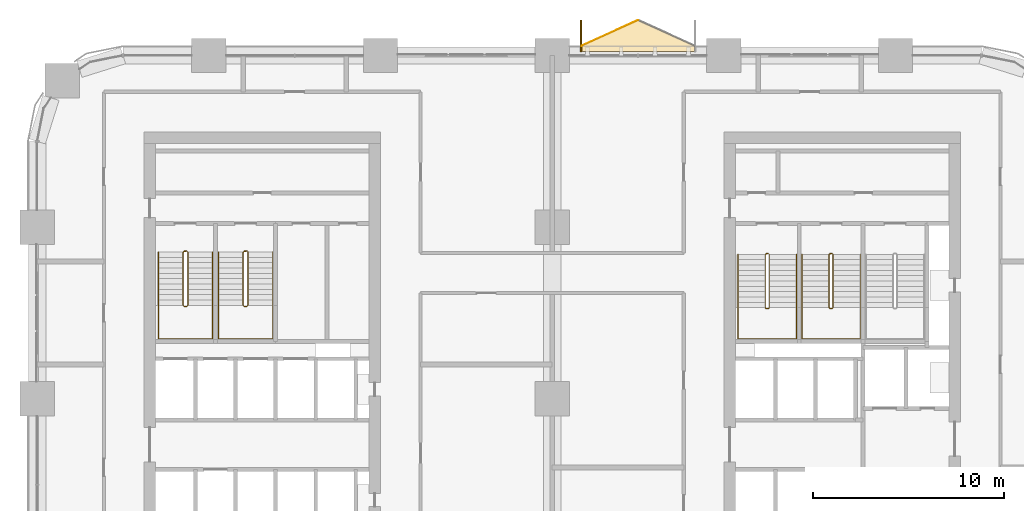
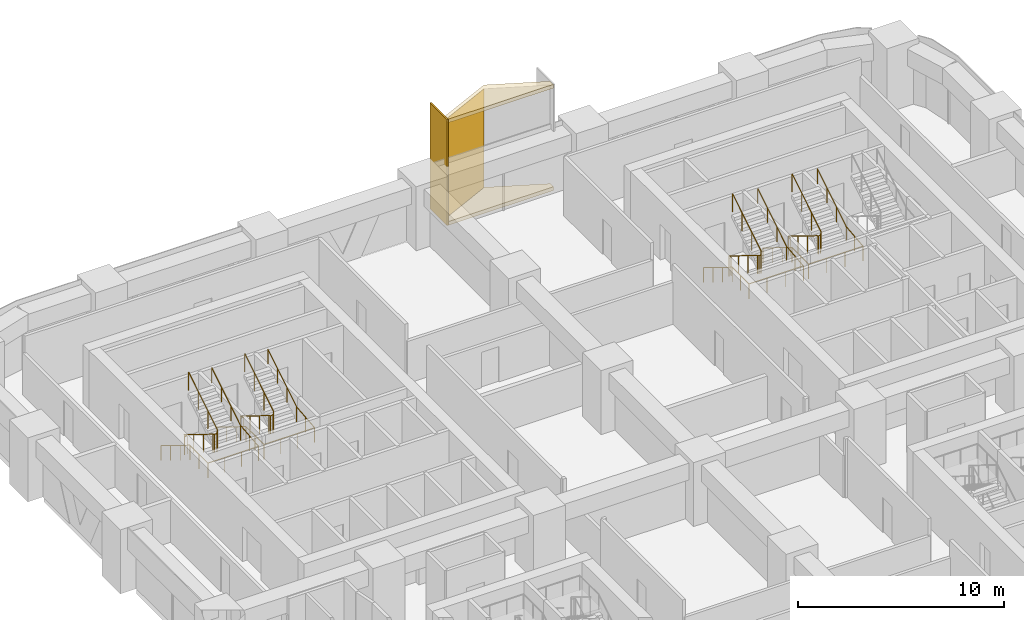
# One storey, part 21 of 22: 8 railings, 4 coverings.
"""IFC4 building model written with IfcOpenShell, lengths in metres."""

from ifc_helpers import new_model, si_unit, direction, frame, origin, origin_2d, place, context, subcontext, project, spatial, polyline, rectangle, circle, outline, extrude, material, layer, layer_set, type_object, element, save


model = new_model("IFC4")

# Units and contexts
model_context = context("Model", 3, precision=1e-05, world=origin(), true_north=direction((0.0, 1.0)))
body_context = subcontext(model_context, "Body", "Model", "MODEL_VIEW")
ifc_project = project(units=[si_unit("LENGTHUNIT", "METRE"), si_unit("AREAUNIT", "SQUARE_METRE"), si_unit("VOLUMEUNIT", "CUBIC_METRE"), si_unit("PLANEANGLEUNIT", "RADIAN"), si_unit("MASSUNIT", "GRAM", prefix="KILO")], contexts=[model_context])

# Site, building, storey
site_placement = place(None, origin())
site = spatial("IfcSite", under=ifc_project, at=site_placement, CompositionType="ELEMENT")
building_placement = place(site_placement, origin())
building = spatial("IfcBuilding", under=site, at=building_placement, Name="Tessera Arch", CompositionType="ELEMENT")
storey_placement = place(building_placement, frame((0.0, 0.0, 53.800048828125)))
storey = spatial("IfcBuildingStorey", under=building, at=storey_placement, Name="L11", CompositionType="ELEMENT", Elevation=53.800048828125)

# Railings
ifc_material_1 = material(Name="Painted steel balustrade", Category="steel")
railing_type_1 = type_object("IfcRailingType", Name="Stair guard 1100", PredefinedType="GUARDRAIL", material=ifc_material_1)
railing_1_placement = place(storey_placement, frame((38.219970703125, 43.6298828125, 0.0)))
element("IfcRailing", 1, at=railing_1_placement, inside=storey, type_object=railing_type_1, Name="L11 S1a stair guard 1", PredefinedType="GUARDRAIL", context=body_context, shape_type="SweptSolid", body=[
    extrude(circle(Radius=0.02392578125, at=origin_2d()), frame((-0.00390625, 0.0, 1.076171875), z_axis=(1.0, 0.0, 0.0), x_axis=(0.0, 1.0, 0.0)), (0.0, 0.0, 1.0), 0.1181640625),
    extrude(circle(Radius=0.02392578125, at=origin_2d()), frame((0.11279296875, 0.000732421875, 1.0732421875), z_axis=(-0.665449600336, -0.206938595226, 0.717184249143), x_axis=(0.296948579431, -0.954893471113, 0.0)), (0.0, 0.0, 1.0), 0.248779296875),
    extrude(circle(Radius=0.02392578125, at=origin_2d()), frame((-0.050048828125, -0.04638671875, 1.24658203125), z_axis=(0.0, -0.851089632645, 0.525020415988), x_axis=(1.0, 0.0, 0.0)), (0.0, 0.0, 1.0), 3.2978515625),
    extrude(circle(Radius=0.02392578125, at=origin_2d()), frame((-0.052978515625, -2.846923828125, 2.97607421875), z_axis=(0.707106781187, -0.707106781187, 0.0), x_axis=(0.707106781187, 0.707106781187, 0.0)), (0.0, 0.0, 1.0), 0.078857421875),
    extrude(circle(Radius=0.02392578125, at=origin_2d()), frame((-0.00390625, -2.89990234375, 2.97607421875), z_axis=(1.0, 0.0, 0.0), x_axis=(0.0, 1.0, 0.0)), (0.0, 0.0, 1.0), 0.1181640625),
    extrude(circle(Radius=0.02392578125, at=origin_2d()), frame((0.109130859375, -2.90087890625, 2.97216796875), z_axis=(0.266739603011, 0.268047150085, 0.925743328097), x_axis=(-0.708833529934, 0.705375805398, 0.0)), (0.0, 0.0, 1.0), 0.19482421875),
    extrude(circle(Radius=0.02392578125, at=origin_2d()), frame((0.159912109375, -2.853271484375, 3.146728515625), z_axis=(0.0, 0.851089632645, 0.525020415988), x_axis=(-1.0, 0.0, 0.0)), (0.0, 0.0, 1.0), 3.2978515625),
    extrude(circle(Radius=0.02099609375, at=origin_2d()), origin(), (0.0, 0.0, 1.0), 1.06396484375),
    extrude(circle(Radius=0.02099609375, at=origin_2d()), frame((0.110107421875, 0.0, 0.0)), (0.0, 0.0, 1.0), 1.06396484375),
    extrude(circle(Radius=0.02099609375, at=origin_2d()), frame((-0.050048828125, -0.0498046875, 0.172607421875)), (0.0, 0.0, 1.0), 1.06396484375),
    extrude(circle(Radius=0.02099609375, at=origin_2d()), frame((-0.050048828125, -0.983154296875, 0.748291015625)), (0.0, 0.0, 1.0), 1.06396484375),
    extrude(circle(Radius=0.02099609375, at=origin_2d()), frame((-0.050048828125, -1.91650390625, 1.32421875)), (0.0, 0.0, 1.0), 1.06396484375),
    extrude(circle(Radius=0.02099609375, at=origin_2d()), frame((-0.050048828125, -2.849853515625, 1.89990234375)), (0.0, 0.0, 1.0), 1.06396484375),
    extrude(circle(Radius=0.02099609375, at=origin_2d()), frame((0.0, -2.89990234375, 1.89990234375)), (0.0, 0.0, 1.0), 1.06396484375),
    extrude(circle(Radius=0.02099609375, at=origin_2d()), frame((0.110107421875, -2.89990234375, 1.89990234375)), (0.0, 0.0, 1.0), 1.06396484375),
    extrude(circle(Radius=0.02099609375, at=origin_2d()), frame((0.159912109375, -2.849853515625, 2.07275390625)), (0.0, 0.0, 1.0), 1.06396484375),
    extrude(circle(Radius=0.02099609375, at=origin_2d()), frame((0.159912109375, -1.91650390625, 2.6484375)), (0.0, 0.0, 1.0), 1.06396484375),
    extrude(circle(Radius=0.02099609375, at=origin_2d()), frame((0.159912109375, -0.983154296875, 3.224365234375)), (0.0, 0.0, 1.0), 1.06396484375),
    extrude(circle(Radius=0.02099609375, at=origin_2d()), frame((0.159912109375, -0.0498046875, 3.800048828125)), (0.0, 0.0, 1.0), 1.06396484375),
])
railing_2_placement = place(storey_placement, frame((41.570068359375, 43.6298828125, 0.0)))
element("IfcRailing", 2, at=railing_2_placement, inside=storey, type_object=railing_type_1, Name="L11 S1b stair guard 1", PredefinedType="GUARDRAIL", context=body_context, shape_type="SweptSolid", body=[
    extrude(circle(Radius=0.02392578125, at=origin_2d()), frame((-0.00390625, 0.0, 1.076171875), z_axis=(1.0, 0.0, 0.0), x_axis=(0.0, 1.0, 0.0)), (0.0, 0.0, 1.0), 0.117919921875),
    extrude(circle(Radius=0.02392578125, at=origin_2d()), frame((0.112548828125, 0.000732421875, 1.0732421875), z_axis=(-0.664883824791, -0.207078321004, 0.717668494851), x_axis=(0.297361876254, -0.954764847777, 0.0)), (0.0, 0.0, 1.0), 0.24853515625),
    extrude(circle(Radius=0.02392578125, at=origin_2d()), frame((-0.050048828125, -0.04638671875, 1.24658203125), z_axis=(0.0, -0.851089632645, 0.525020415988), x_axis=(1.0, 0.0, 0.0)), (0.0, 0.0, 1.0), 3.2978515625),
    extrude(circle(Radius=0.02392578125, at=origin_2d()), frame((-0.052978515625, -2.846923828125, 2.97607421875), z_axis=(0.707106781187, -0.707106781187, 0.0), x_axis=(0.707106781187, 0.707106781187, 0.0)), (0.0, 0.0, 1.0), 0.078857421875),
    extrude(circle(Radius=0.02392578125, at=origin_2d()), frame((-0.00390625, -2.89990234375, 2.97607421875), z_axis=(1.0, 0.0, 0.0), x_axis=(0.0, 1.0, 0.0)), (0.0, 0.0, 1.0), 0.117919921875),
    extrude(circle(Radius=0.02392578125, at=origin_2d()), frame((0.10888671875, -2.90087890625, 2.97216796875), z_axis=(0.267953482034, 0.267953482034, 0.925419830635), x_axis=(-0.707106781187, 0.707106781187, 0.0)), (0.0, 0.0, 1.0), 0.19482421875),
    extrude(circle(Radius=0.02392578125, at=origin_2d()), frame((0.159912109375, -2.853271484375, 3.146728515625), z_axis=(0.0, 0.851089632645, 0.525020415988), x_axis=(-1.0, 0.0, 0.0)), (0.0, 0.0, 1.0), 3.2978515625),
    extrude(circle(Radius=0.02099609375, at=origin_2d()), origin(), (0.0, 0.0, 1.0), 1.06396484375),
    extrude(circle(Radius=0.02099609375, at=origin_2d()), frame((0.10986328125, 0.0, 0.0)), (0.0, 0.0, 1.0), 1.06396484375),
    extrude(circle(Radius=0.02099609375, at=origin_2d()), frame((-0.050048828125, -0.0498046875, 0.172607421875)), (0.0, 0.0, 1.0), 1.06396484375),
    extrude(circle(Radius=0.02099609375, at=origin_2d()), frame((-0.050048828125, -0.983154296875, 0.748291015625)), (0.0, 0.0, 1.0), 1.06396484375),
    extrude(circle(Radius=0.02099609375, at=origin_2d()), frame((-0.050048828125, -1.91650390625, 1.32421875)), (0.0, 0.0, 1.0), 1.06396484375),
    extrude(circle(Radius=0.02099609375, at=origin_2d()), frame((-0.050048828125, -2.849853515625, 1.89990234375)), (0.0, 0.0, 1.0), 1.06396484375),
    extrude(circle(Radius=0.02099609375, at=origin_2d()), frame((0.0, -2.89990234375, 1.89990234375)), (0.0, 0.0, 1.0), 1.06396484375),
    extrude(circle(Radius=0.02099609375, at=origin_2d()), frame((0.10986328125, -2.89990234375, 1.89990234375)), (0.0, 0.0, 1.0), 1.06396484375),
    extrude(circle(Radius=0.02099609375, at=origin_2d()), frame((0.159912109375, -2.849853515625, 2.07275390625)), (0.0, 0.0, 1.0), 1.06396484375),
    extrude(circle(Radius=0.02099609375, at=origin_2d()), frame((0.159912109375, -1.91650390625, 2.6484375)), (0.0, 0.0, 1.0), 1.06396484375),
    extrude(circle(Radius=0.02099609375, at=origin_2d()), frame((0.159912109375, -0.983154296875, 3.224365234375)), (0.0, 0.0, 1.0), 1.06396484375),
    extrude(circle(Radius=0.02099609375, at=origin_2d()), frame((0.159912109375, -0.0498046875, 3.800048828125)), (0.0, 0.0, 1.0), 1.06396484375),
])
railing_3_placement = place(storey_placement, frame((7.699951171875, 43.75, 0.0)))
element("IfcRailing", 3, at=railing_3_placement, inside=storey, type_object=railing_type_1, Name="L11 S2a stair guard 1", PredefinedType="GUARDRAIL", context=body_context, shape_type="SweptSolid", body=[
    extrude(circle(Radius=0.02392578125, at=origin_2d()), frame((-0.00390625, 0.0, 1.076171875), z_axis=(1.0, 0.0, 0.0), x_axis=(0.0, 1.0, 0.0)), (0.0, 0.0, 1.0), 0.158203125),
    extrude(circle(Radius=0.02392578125, at=origin_2d()), frame((0.153076171875, 0.000732421875, 1.073486328125), z_axis=(-0.744141464035, -0.186035366009, 0.641595140332), x_axis=(0.242535625036, -0.970142500145, 0.0)), (0.0, 0.0, 1.0), 0.277099609375),
    extrude(circle(Radius=0.02392578125, at=origin_2d()), frame((-0.050048828125, -0.046630859375, 1.24658203125), z_axis=(0.0, -0.851089632645, 0.525020415988), x_axis=(1.0, 0.0, 0.0)), (0.0, 0.0, 1.0), 3.2978515625),
    extrude(circle(Radius=0.02392578125, at=origin_2d()), frame((-0.052978515625, -2.84716796875, 2.97607421875), z_axis=(0.708833529934, -0.705375805398, 0.0), x_axis=(0.705375805398, 0.708833529934, 0.0)), (0.0, 0.0, 1.0), 0.07861328125),
    extrude(circle(Radius=0.02392578125, at=origin_2d()), frame((-0.00390625, -2.89990234375, 2.97607421875), z_axis=(1.0, 0.0, 0.0), x_axis=(0.0, 1.0, 0.0)), (0.0, 0.0, 1.0), 0.158203125),
    extrude(circle(Radius=0.02392578125, at=origin_2d()), frame((0.149169921875, -2.90087890625, 2.97216796875), z_axis=(0.266832911964, 0.266832911964, 0.926067165051), x_axis=(-0.707106781187, 0.707106781187, 0.0)), (0.0, 0.0, 1.0), 0.194580078125),
    extrude(circle(Radius=0.02392578125, at=origin_2d()), frame((0.199951171875, -2.853515625, 3.146728515625), z_axis=(0.0, 0.851089632645, 0.525020415988), x_axis=(-1.0, 0.0, 0.0)), (0.0, 0.0, 1.0), 3.2978515625),
    extrude(circle(Radius=0.02099609375, at=origin_2d()), origin(), (0.0, 0.0, 1.0), 1.06396484375),
    extrude(circle(Radius=0.02099609375, at=origin_2d()), frame((0.150146484375, 0.0, 0.0)), (0.0, 0.0, 1.0), 1.06396484375),
    extrude(circle(Radius=0.02099609375, at=origin_2d()), frame((-0.050048828125, -0.050048828125, 0.172607421875)), (0.0, 0.0, 1.0), 1.06396484375),
    extrude(circle(Radius=0.02099609375, at=origin_2d()), frame((-0.050048828125, -0.9833984375, 0.748291015625)), (0.0, 0.0, 1.0), 1.06396484375),
    extrude(circle(Radius=0.02099609375, at=origin_2d()), frame((-0.050048828125, -1.916748046875, 1.32421875)), (0.0, 0.0, 1.0), 1.06396484375),
    extrude(circle(Radius=0.02099609375, at=origin_2d()), frame((-0.050048828125, -2.85009765625, 1.89990234375)), (0.0, 0.0, 1.0), 1.06396484375),
    extrude(circle(Radius=0.02099609375, at=origin_2d()), frame((0.0, -2.89990234375, 1.89990234375)), (0.0, 0.0, 1.0), 1.06396484375),
    extrude(circle(Radius=0.02099609375, at=origin_2d()), frame((0.150146484375, -2.89990234375, 1.89990234375)), (0.0, 0.0, 1.0), 1.06396484375),
    extrude(circle(Radius=0.02099609375, at=origin_2d()), frame((0.199951171875, -2.85009765625, 2.07275390625)), (0.0, 0.0, 1.0), 1.06396484375),
    extrude(circle(Radius=0.02099609375, at=origin_2d()), frame((0.199951171875, -1.916748046875, 2.6484375)), (0.0, 0.0, 1.0), 1.06396484375),
    extrude(circle(Radius=0.02099609375, at=origin_2d()), frame((0.199951171875, -0.9833984375, 3.224365234375)), (0.0, 0.0, 1.0), 1.06396484375),
    extrude(circle(Radius=0.02099609375, at=origin_2d()), frame((0.199951171875, -0.050048828125, 3.800048828125)), (0.0, 0.0, 1.0), 1.06396484375),
])
railing_4_placement = place(storey_placement, frame((10.85009765625, 43.75, 0.0)))
element("IfcRailing", 4, at=railing_4_placement, inside=storey, type_object=railing_type_1, Name="L11 S2b stair guard 1", PredefinedType="GUARDRAIL", context=body_context, shape_type="SweptSolid", body=[
    extrude(circle(Radius=0.02392578125, at=origin_2d()), frame((-0.00390625, 0.0, 1.076171875), z_axis=(1.0, 0.0, 0.0), x_axis=(0.0, 1.0, 0.0)), (0.0, 0.0, 1.0), 0.157958984375),
    extrude(circle(Radius=0.02392578125, at=origin_2d()), frame((0.15283203125, 0.000732421875, 1.073486328125), z_axis=(-0.743736083135, -0.18616104645, 0.642028584587), x_axis=(0.242814311512, -0.970072785993, 0.0)), (0.0, 0.0, 1.0), 0.27685546875),
    extrude(circle(Radius=0.02392578125, at=origin_2d()), frame((-0.050048828125, -0.046630859375, 1.24658203125), z_axis=(0.0, -0.851089632645, 0.525020415988), x_axis=(1.0, 0.0, 0.0)), (0.0, 0.0, 1.0), 3.2978515625),
    extrude(circle(Radius=0.02392578125, at=origin_2d()), frame((-0.052978515625, -2.84716796875, 2.97607421875), z_axis=(0.708833529934, -0.705375805398, 0.0), x_axis=(0.705375805398, 0.708833529934, 0.0)), (0.0, 0.0, 1.0), 0.07861328125),
    extrude(circle(Radius=0.02392578125, at=origin_2d()), frame((-0.00390625, -2.89990234375, 2.97607421875), z_axis=(1.0, 0.0, 0.0), x_axis=(0.0, 1.0, 0.0)), (0.0, 0.0, 1.0), 0.157958984375),
    extrude(circle(Radius=0.02392578125, at=origin_2d()), frame((0.14892578125, -2.90087890625, 2.97216796875), z_axis=(0.268047150085, 0.266739603011, 0.925743328097), x_axis=(-0.705375805398, 0.708833529934, 0.0)), (0.0, 0.0, 1.0), 0.19482421875),
    extrude(circle(Radius=0.02392578125, at=origin_2d()), frame((0.199951171875, -2.853515625, 3.146728515625), z_axis=(0.0, 0.851089632645, 0.525020415988), x_axis=(-1.0, 0.0, 0.0)), (0.0, 0.0, 1.0), 3.2978515625),
    extrude(circle(Radius=0.02099609375, at=origin_2d()), origin(), (0.0, 0.0, 1.0), 1.06396484375),
    extrude(circle(Radius=0.02099609375, at=origin_2d()), frame((0.14990234375, 0.0, 0.0)), (0.0, 0.0, 1.0), 1.06396484375),
    extrude(circle(Radius=0.02099609375, at=origin_2d()), frame((-0.050048828125, -0.050048828125, 0.172607421875)), (0.0, 0.0, 1.0), 1.06396484375),
    extrude(circle(Radius=0.02099609375, at=origin_2d()), frame((-0.050048828125, -0.9833984375, 0.748291015625)), (0.0, 0.0, 1.0), 1.06396484375),
    extrude(circle(Radius=0.02099609375, at=origin_2d()), frame((-0.050048828125, -1.916748046875, 1.32421875)), (0.0, 0.0, 1.0), 1.06396484375),
    extrude(circle(Radius=0.02099609375, at=origin_2d()), frame((-0.050048828125, -2.85009765625, 1.89990234375)), (0.0, 0.0, 1.0), 1.06396484375),
    extrude(circle(Radius=0.02099609375, at=origin_2d()), frame((0.0, -2.89990234375, 1.89990234375)), (0.0, 0.0, 1.0), 1.06396484375),
    extrude(circle(Radius=0.02099609375, at=origin_2d()), frame((0.14990234375, -2.89990234375, 1.89990234375)), (0.0, 0.0, 1.0), 1.06396484375),
    extrude(circle(Radius=0.02099609375, at=origin_2d()), frame((0.199951171875, -2.85009765625, 2.07275390625)), (0.0, 0.0, 1.0), 1.06396484375),
    extrude(circle(Radius=0.02099609375, at=origin_2d()), frame((0.199951171875, -1.916748046875, 2.6484375)), (0.0, 0.0, 1.0), 1.06396484375),
    extrude(circle(Radius=0.02099609375, at=origin_2d()), frame((0.199951171875, -0.9833984375, 3.224365234375)), (0.0, 0.0, 1.0), 1.06396484375),
    extrude(circle(Radius=0.02099609375, at=origin_2d()), frame((0.199951171875, -0.050048828125, 3.800048828125)), (0.0, 0.0, 1.0), 1.06396484375),
])
ifc_material_2 = material(Name="Painted steel handrail", Category="steel")
railing_type_2 = type_object("IfcRailingType", Name="Stair handrail 900", PredefinedType="HANDRAIL", material=ifc_material_2)
railing_5_placement = place(storey_placement, frame((36.75, 43.580078125, 0.172607421875)))
element("IfcRailing", 5, at=railing_5_placement, inside=storey, type_object=railing_type_2, Name="L11 S1a stair handrail", PredefinedType="HANDRAIL", context=body_context, shape_type="SweptSolid", body=[
    extrude(circle(Radius=0.02392578125, at=origin_2d()), frame((0.0, 0.00341796875, 0.873779296875), z_axis=(0.0, -0.851089632645, 0.525020415988), x_axis=(1.0, 0.0, 0.0)), (0.0, 0.0, 1.0), 3.2978515625),
    extrude(circle(Radius=0.02392578125, at=origin_2d()), frame((0.0, -2.796142578125, 2.60302734375), z_axis=(0.0, -1.0, 0.0), x_axis=(1.0, 0.0, 0.0)), (0.0, 0.0, 1.0), 1.63818359375),
    extrude(circle(Radius=0.02392578125, at=origin_2d()), frame((-0.00390625, -4.43017578125, 2.60302734375), z_axis=(1.0, 0.0, 0.0), x_axis=(0.0, 1.0, 0.0)), (0.0, 0.0, 1.0), 3.05810546875),
    extrude(circle(Radius=0.02392578125, at=origin_2d()), frame((3.050048828125, -4.43408203125, 2.602783203125), z_axis=(0.0, 0.994425187763, 0.105444515941), x_axis=(-1.0, 0.0, 0.0)), (0.0, 0.0, 1.0), 1.647216796875),
    extrude(circle(Radius=0.02392578125, at=origin_2d()), frame((3.050048828125, -2.803466796875, 2.77392578125), z_axis=(0.0, 0.851089632645, 0.525020415988), x_axis=(-1.0, 0.0, 0.0)), (0.0, 0.0, 1.0), 3.2978515625),
    extrude(circle(Radius=0.02099609375, at=origin_2d()), origin(), (0.0, 0.0, 1.0), 0.86376953125),
    extrude(circle(Radius=0.02099609375, at=origin_2d()), frame((0.0, -0.933349609375, 0.57568359375)), (0.0, 0.0, 1.0), 0.86376953125),
    extrude(circle(Radius=0.02099609375, at=origin_2d()), frame((0.0, -1.86669921875, 1.151611328125)), (0.0, 0.0, 1.0), 0.86376953125),
    extrude(circle(Radius=0.02099609375, at=origin_2d()), frame((0.0, -2.800048828125, 1.727294921875)), (0.0, 0.0, 1.0), 0.86376953125),
    extrude(circle(Radius=0.02099609375, at=origin_2d()), frame((0.0, -3.615234375, 1.727294921875)), (0.0, 0.0, 1.0), 0.86376953125),
    extrude(circle(Radius=0.02099609375, at=origin_2d()), frame((0.0, -4.43017578125, 1.727294921875)), (0.0, 0.0, 1.0), 0.86376953125),
    extrude(circle(Radius=0.02099609375, at=origin_2d()), frame((1.0166015625, -4.43017578125, 1.727294921875)), (0.0, 0.0, 1.0), 0.86376953125),
    extrude(circle(Radius=0.02099609375, at=origin_2d()), frame((2.033447265625, -4.43017578125, 1.727294921875)), (0.0, 0.0, 1.0), 0.86376953125),
    extrude(circle(Radius=0.02099609375, at=origin_2d()), frame((3.050048828125, -4.43017578125, 1.727294921875)), (0.0, 0.0, 1.0), 0.86376953125),
    extrude(circle(Radius=0.02099609375, at=origin_2d()), frame((3.050048828125, -3.615234375, 1.813720703125)), (0.0, 0.0, 1.0), 0.86376953125),
    extrude(circle(Radius=0.02099609375, at=origin_2d()), frame((3.050048828125, -2.800048828125, 1.900146484375)), (0.0, 0.0, 1.0), 0.86376953125),
    extrude(circle(Radius=0.02099609375, at=origin_2d()), frame((3.050048828125, -1.86669921875, 2.475830078125)), (0.0, 0.0, 1.0), 0.86376953125),
    extrude(circle(Radius=0.02099609375, at=origin_2d()), frame((3.050048828125, -0.933349609375, 3.0517578125)), (0.0, 0.0, 1.0), 0.86376953125),
    extrude(circle(Radius=0.02099609375, at=origin_2d()), frame((3.050048828125, 0.0, 3.62744140625)), (0.0, 0.0, 1.0), 0.86376953125),
])
railing_6_placement = place(storey_placement, frame((40.10009765625, 43.580078125, 0.172607421875)))
element("IfcRailing", 6, at=railing_6_placement, inside=storey, type_object=railing_type_2, Name="L11 S1b stair handrail", PredefinedType="HANDRAIL", context=body_context, shape_type="SweptSolid", body=[
    extrude(circle(Radius=0.02392578125, at=origin_2d()), frame((0.0, 0.00341796875, 0.873779296875), z_axis=(0.0, -0.851089632645, 0.525020415988), x_axis=(1.0, 0.0, 0.0)), (0.0, 0.0, 1.0), 3.2978515625),
    extrude(circle(Radius=0.02392578125, at=origin_2d()), frame((0.0, -2.796142578125, 2.60302734375), z_axis=(0.0, -1.0, 0.0), x_axis=(1.0, 0.0, 0.0)), (0.0, 0.0, 1.0), 1.63818359375),
    extrude(circle(Radius=0.02392578125, at=origin_2d()), frame((-0.00390625, -4.43017578125, 2.60302734375), z_axis=(1.0, 0.0, 0.0), x_axis=(0.0, 1.0, 0.0)), (0.0, 0.0, 1.0), 3.057861328125),
    extrude(circle(Radius=0.02392578125, at=origin_2d()), frame((3.0498046875, -4.43408203125, 2.602783203125), z_axis=(0.0, 0.994425187763, 0.105444515941), x_axis=(-1.0, 0.0, 0.0)), (0.0, 0.0, 1.0), 1.647216796875),
    extrude(circle(Radius=0.02392578125, at=origin_2d()), frame((3.0498046875, -2.803466796875, 2.77392578125), z_axis=(0.0, 0.851089632645, 0.525020415988), x_axis=(-1.0, 0.0, 0.0)), (0.0, 0.0, 1.0), 3.2978515625),
    extrude(circle(Radius=0.02099609375, at=origin_2d()), origin(), (0.0, 0.0, 1.0), 0.86376953125),
    extrude(circle(Radius=0.02099609375, at=origin_2d()), frame((0.0, -0.933349609375, 0.57568359375)), (0.0, 0.0, 1.0), 0.86376953125),
    extrude(circle(Radius=0.02099609375, at=origin_2d()), frame((0.0, -1.86669921875, 1.151611328125)), (0.0, 0.0, 1.0), 0.86376953125),
    extrude(circle(Radius=0.02099609375, at=origin_2d()), frame((0.0, -2.800048828125, 1.727294921875)), (0.0, 0.0, 1.0), 0.86376953125),
    extrude(circle(Radius=0.02099609375, at=origin_2d()), frame((0.0, -3.615234375, 1.727294921875)), (0.0, 0.0, 1.0), 0.86376953125),
    extrude(circle(Radius=0.02099609375, at=origin_2d()), frame((0.0, -4.43017578125, 1.727294921875)), (0.0, 0.0, 1.0), 0.86376953125),
    extrude(circle(Radius=0.02099609375, at=origin_2d()), frame((1.0166015625, -4.43017578125, 1.727294921875)), (0.0, 0.0, 1.0), 0.86376953125),
    extrude(circle(Radius=0.02099609375, at=origin_2d()), frame((2.033203125, -4.43017578125, 1.727294921875)), (0.0, 0.0, 1.0), 0.86376953125),
    extrude(circle(Radius=0.02099609375, at=origin_2d()), frame((3.0498046875, -4.43017578125, 1.727294921875)), (0.0, 0.0, 1.0), 0.86376953125),
    extrude(circle(Radius=0.02099609375, at=origin_2d()), frame((3.0498046875, -3.615234375, 1.813720703125)), (0.0, 0.0, 1.0), 0.86376953125),
    extrude(circle(Radius=0.02099609375, at=origin_2d()), frame((3.0498046875, -2.800048828125, 1.900146484375)), (0.0, 0.0, 1.0), 0.86376953125),
    extrude(circle(Radius=0.02099609375, at=origin_2d()), frame((3.0498046875, -1.86669921875, 2.475830078125)), (0.0, 0.0, 1.0), 0.86376953125),
    extrude(circle(Radius=0.02099609375, at=origin_2d()), frame((3.0498046875, -0.933349609375, 3.0517578125)), (0.0, 0.0, 1.0), 0.86376953125),
    extrude(circle(Radius=0.02099609375, at=origin_2d()), frame((3.0498046875, 0.0, 3.62744140625)), (0.0, 0.0, 1.0), 0.86376953125),
])
railing_7_placement = place(storey_placement, frame((6.35009765625, 43.699951171875, 0.172607421875)))
element("IfcRailing", 7, at=railing_7_placement, inside=storey, type_object=railing_type_2, Name="L11 S2a stair handrail", PredefinedType="HANDRAIL", context=body_context, shape_type="SweptSolid", body=[
    extrude(circle(Radius=0.02392578125, at=origin_2d()), frame((0.0, 0.00341796875, 0.873779296875), z_axis=(0.0, -0.851089632645, 0.525020415988), x_axis=(1.0, 0.0, 0.0)), (0.0, 0.0, 1.0), 3.2978515625),
    extrude(circle(Radius=0.02392578125, at=origin_2d()), frame((0.0, -2.796142578125, 2.60302734375), z_axis=(0.0, -1.0, 0.0), x_axis=(1.0, 0.0, 0.0)), (0.0, 0.0, 1.0), 1.758056640625),
    extrude(circle(Radius=0.02392578125, at=origin_2d()), frame((-0.00390625, -4.550048828125, 2.60302734375), z_axis=(1.0, 0.0, 0.0), x_axis=(0.0, 1.0, 0.0)), (0.0, 0.0, 1.0), 2.85791015625),
    extrude(circle(Radius=0.02392578125, at=origin_2d()), frame((2.849853515625, -4.553955078125, 2.602783203125), z_axis=(0.0, 0.995157418657, 0.098294008428), x_axis=(-1.0, 0.0, 0.0)), (0.0, 0.0, 1.0), 1.7666015625),
    extrude(circle(Radius=0.02392578125, at=origin_2d()), frame((2.849853515625, -2.803466796875, 2.77392578125), z_axis=(0.0, 0.851089632645, 0.525020415988), x_axis=(-1.0, 0.0, 0.0)), (0.0, 0.0, 1.0), 3.2978515625),
    extrude(circle(Radius=0.02099609375, at=origin_2d()), origin(), (0.0, 0.0, 1.0), 0.86376953125),
    extrude(circle(Radius=0.02099609375, at=origin_2d()), frame((0.0, -0.933349609375, 0.57568359375)), (0.0, 0.0, 1.0), 0.86376953125),
    extrude(circle(Radius=0.02099609375, at=origin_2d()), frame((0.0, -1.86669921875, 1.151611328125)), (0.0, 0.0, 1.0), 0.86376953125),
    extrude(circle(Radius=0.02099609375, at=origin_2d()), frame((0.0, -2.800048828125, 1.727294921875)), (0.0, 0.0, 1.0), 0.86376953125),
    extrude(circle(Radius=0.02099609375, at=origin_2d()), frame((0.0, -3.675048828125, 1.727294921875)), (0.0, 0.0, 1.0), 0.86376953125),
    extrude(circle(Radius=0.02099609375, at=origin_2d()), frame((0.0, -4.550048828125, 1.727294921875)), (0.0, 0.0, 1.0), 0.86376953125),
    extrude(circle(Radius=0.02099609375, at=origin_2d()), frame((0.949951171875, -4.550048828125, 1.727294921875)), (0.0, 0.0, 1.0), 0.86376953125),
    extrude(circle(Radius=0.02099609375, at=origin_2d()), frame((1.89990234375, -4.550048828125, 1.727294921875)), (0.0, 0.0, 1.0), 0.86376953125),
    extrude(circle(Radius=0.02099609375, at=origin_2d()), frame((2.849853515625, -4.550048828125, 1.727294921875)), (0.0, 0.0, 1.0), 0.86376953125),
    extrude(circle(Radius=0.02099609375, at=origin_2d()), frame((2.849853515625, -3.675048828125, 1.813720703125)), (0.0, 0.0, 1.0), 0.86376953125),
    extrude(circle(Radius=0.02099609375, at=origin_2d()), frame((2.849853515625, -2.800048828125, 1.900146484375)), (0.0, 0.0, 1.0), 0.86376953125),
    extrude(circle(Radius=0.02099609375, at=origin_2d()), frame((2.849853515625, -1.86669921875, 2.475830078125)), (0.0, 0.0, 1.0), 0.86376953125),
    extrude(circle(Radius=0.02099609375, at=origin_2d()), frame((2.849853515625, -0.933349609375, 3.0517578125)), (0.0, 0.0, 1.0), 0.86376953125),
    extrude(circle(Radius=0.02099609375, at=origin_2d()), frame((2.849853515625, 0.0, 3.62744140625)), (0.0, 0.0, 1.0), 0.86376953125),
])
railing_8_placement = place(storey_placement, frame((9.5, 43.699951171875, 0.172607421875)))
element("IfcRailing", 8, at=railing_8_placement, inside=storey, type_object=railing_type_2, Name="L11 S2b stair handrail", PredefinedType="HANDRAIL", context=body_context, shape_type="SweptSolid", body=[
    extrude(circle(Radius=0.02392578125, at=origin_2d()), frame((0.0, 0.00341796875, 0.873779296875), z_axis=(0.0, -0.851089632645, 0.525020415988), x_axis=(1.0, 0.0, 0.0)), (0.0, 0.0, 1.0), 3.2978515625),
    extrude(circle(Radius=0.02392578125, at=origin_2d()), frame((0.0, -2.796142578125, 2.60302734375), z_axis=(0.0, -1.0, 0.0), x_axis=(1.0, 0.0, 0.0)), (0.0, 0.0, 1.0), 1.758056640625),
    extrude(circle(Radius=0.02392578125, at=origin_2d()), frame((-0.00390625, -4.550048828125, 2.60302734375), z_axis=(1.0, 0.0, 0.0), x_axis=(0.0, 1.0, 0.0)), (0.0, 0.0, 1.0), 2.858154296875),
    extrude(circle(Radius=0.02392578125, at=origin_2d()), frame((2.85009765625, -4.553955078125, 2.602783203125), z_axis=(0.0, 0.995157418657, 0.098294008428), x_axis=(-1.0, 0.0, 0.0)), (0.0, 0.0, 1.0), 1.7666015625),
    extrude(circle(Radius=0.02392578125, at=origin_2d()), frame((2.85009765625, -2.803466796875, 2.77392578125), z_axis=(0.0, 0.851089632645, 0.525020415988), x_axis=(-1.0, 0.0, 0.0)), (0.0, 0.0, 1.0), 3.2978515625),
    extrude(circle(Radius=0.02099609375, at=origin_2d()), origin(), (0.0, 0.0, 1.0), 0.86376953125),
    extrude(circle(Radius=0.02099609375, at=origin_2d()), frame((0.0, -0.933349609375, 0.57568359375)), (0.0, 0.0, 1.0), 0.86376953125),
    extrude(circle(Radius=0.02099609375, at=origin_2d()), frame((0.0, -1.86669921875, 1.151611328125)), (0.0, 0.0, 1.0), 0.86376953125),
    extrude(circle(Radius=0.02099609375, at=origin_2d()), frame((0.0, -2.800048828125, 1.727294921875)), (0.0, 0.0, 1.0), 0.86376953125),
    extrude(circle(Radius=0.02099609375, at=origin_2d()), frame((0.0, -3.675048828125, 1.727294921875)), (0.0, 0.0, 1.0), 0.86376953125),
    extrude(circle(Radius=0.02099609375, at=origin_2d()), frame((0.0, -4.550048828125, 1.727294921875)), (0.0, 0.0, 1.0), 0.86376953125),
    extrude(circle(Radius=0.02099609375, at=origin_2d()), frame((0.949951171875, -4.550048828125, 1.727294921875)), (0.0, 0.0, 1.0), 0.86376953125),
    extrude(circle(Radius=0.02099609375, at=origin_2d()), frame((1.900146484375, -4.550048828125, 1.727294921875)), (0.0, 0.0, 1.0), 0.86376953125),
    extrude(circle(Radius=0.02099609375, at=origin_2d()), frame((2.85009765625, -4.550048828125, 1.727294921875)), (0.0, 0.0, 1.0), 0.86376953125),
    extrude(circle(Radius=0.02099609375, at=origin_2d()), frame((2.85009765625, -3.675048828125, 1.813720703125)), (0.0, 0.0, 1.0), 0.86376953125),
    extrude(circle(Radius=0.02099609375, at=origin_2d()), frame((2.85009765625, -2.800048828125, 1.900146484375)), (0.0, 0.0, 1.0), 0.86376953125),
    extrude(circle(Radius=0.02099609375, at=origin_2d()), frame((2.85009765625, -1.86669921875, 2.475830078125)), (0.0, 0.0, 1.0), 0.86376953125),
    extrude(circle(Radius=0.02099609375, at=origin_2d()), frame((2.85009765625, -0.933349609375, 3.0517578125)), (0.0, 0.0, 1.0), 0.86376953125),
    extrude(circle(Radius=0.02099609375, at=origin_2d()), frame((2.85009765625, 0.0, 3.62744140625)), (0.0, 0.0, 1.0), 0.86376953125),
])

# Coverings
ifc_material_3 = material(Name="Anodised aluminium pale metal", Category="aluminium")
ifc_layer_1 = layer(ifc_material_3, 0.080078125)
ifc_layer_set_1 = layer_set([ifc_layer_1], Name="Window box cheek")
covering_type_1 = type_object("IfcCoveringType", Name="Window box cheek", PredefinedType="CLADDING", material=ifc_layer_set_1)
covering_1_placement = place(storey_placement, origin())
element("IfcCovering", 9, at=covering_1_placement, inside=storey, type_object=covering_type_1, Name="Window box N54.0/2.0 2x2 cheek", PredefinedType="CLADDING", context=body_context, shape_type="SweptSolid", body=[
    extrude(outline(polyline([(28.550048828125, 55.85009765625), (28.469970703125, 55.85009765625), (28.469970703125, 54.199951171875), (28.550048828125, 54.199951171875), (28.550048828125, 55.85009765625)])), origin(), (0.0, 0.0, 1.0), 6.300048828125),
])
ifc_material_4 = material(Name="Anodised aluminium pale metal", Category="aluminium")
ifc_layer_2 = layer(ifc_material_4, 0.219970703125)
ifc_layer_set_2 = layer_set([ifc_layer_2], Name="Window box frame plate pale metal")
covering_type_2 = type_object("IfcCoveringType", Name="Window box frame plate pale metal", PredefinedType="CLADDING", material=ifc_layer_set_2)
covering_2_placement = place(storey_placement, origin())
element("IfcCovering", 10, at=covering_2_placement, inside=storey, type_object=covering_type_2, Name="Window box N54.0/2.0 2x2 floor", PredefinedType="CLADDING", context=body_context, shape_type="SweptSolid", body=[
    extrude(outline(polyline([(34.449951171875, 54.510009765625), (31.5, 55.85009765625), (28.550048828125, 54.510009765625), (28.550048828125, 54.199951171875), (34.449951171875, 54.199951171875), (34.449951171875, 54.510009765625)])), origin(), (0.0, 0.0, 1.0), 0.219970703125),
])
covering_3_placement = place(storey_placement, frame((0.0, 0.0, 6.079833984375)))
element("IfcCovering", 11, at=covering_3_placement, inside=storey, type_object=covering_type_2, Name="Window box N54.0/2.0 2x2 roof", PredefinedType="CLADDING", context=body_context, shape_type="SweptSolid", body=[
    extrude(outline(polyline([(34.449951171875, 54.510009765625), (31.5, 55.85009765625), (28.550048828125, 54.510009765625), (28.550048828125, 54.199951171875), (34.449951171875, 54.199951171875), (34.449951171875, 54.510009765625)])), origin(), (0.0, 0.0, 1.0), 0.22021484375),
])
ifc_material_5 = material(Name="Anodised aluminium pale metal", Category="aluminium")
ifc_layer_3 = layer(ifc_material_5, 0.028076171875)
ifc_layer_set_3 = layer_set([ifc_layer_3], Name="Window box side panel")
covering_type_3 = type_object("IfcCoveringType", Name="Window box side panel", PredefinedType="CLADDING", material=ifc_layer_set_3)
covering_4_placement = place(storey_placement, frame((30.02490234375, 55.179931640625, 0.2197265625), z_axis=(0.0, 0.0, 1.0), x_axis=(0.910472144558, 0.413570397858, 0.0)))
element("IfcCovering", 12, at=covering_4_placement, inside=storey, type_object=covering_type_3, Name="Window box N54.0/2.0 2x2 side panel", PredefinedType="CLADDING", context=body_context, shape_type="SweptSolid", body=[
    extrude(rectangle(XDim=3.239990234375, YDim=0.028076171875, at=origin_2d()), origin(), (0.0, 0.0, 1.0), 5.860107421875),
])

save(model, "model.ifc")
